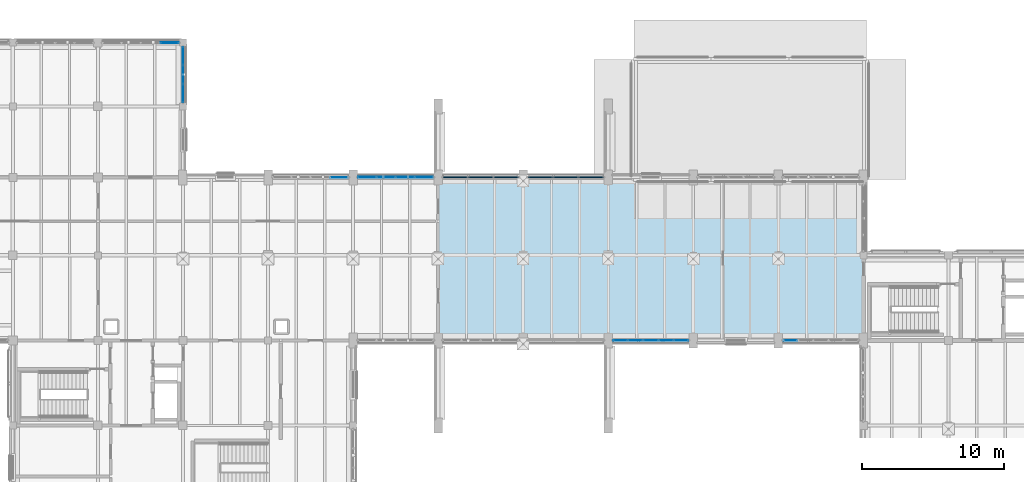
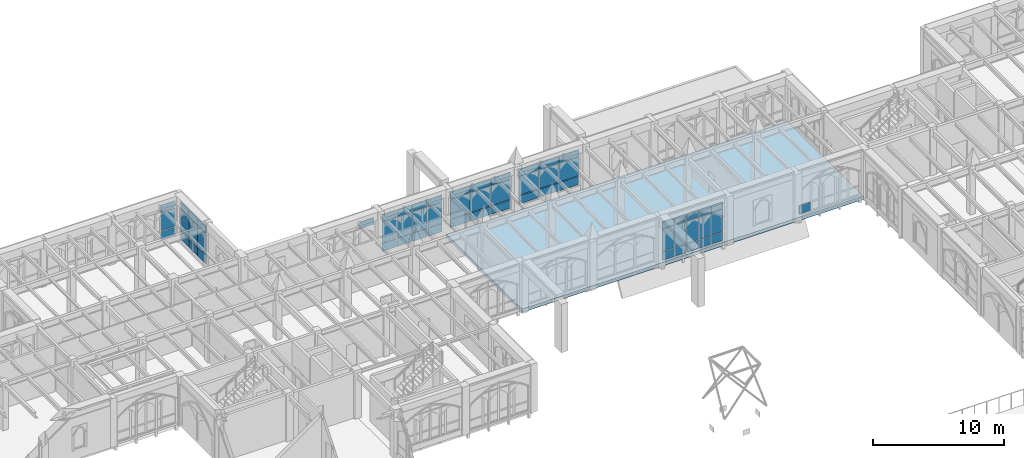
# One storey, part 95 of 143: 59 plates, 1 slab, 8 elements without a shape of their own.
"""IFC4 building model written with IfcOpenShell, lengths in metres."""

from ifc_helpers import new_model, si_unit, direction, frame, origin, origin_2d, place, context, subcontext, project, spatial, polyline, rectangle, outline, extrude, material, layer, layer_set, type_object, element, aggregate, save


model = new_model("IFC4")

# Units and contexts
model_context = context("Model", 3, precision=1e-05, world=origin(), true_north=direction((0.0, 1.0)))
body_context = subcontext(model_context, "Body", "Model", "MODEL_VIEW")
ifc_project = project(units=[si_unit("LENGTHUNIT", "METRE"), si_unit("AREAUNIT", "SQUARE_METRE"), si_unit("VOLUMEUNIT", "CUBIC_METRE"), si_unit("PLANEANGLEUNIT", "RADIAN"), si_unit("MASSUNIT", "GRAM", prefix="KILO")], contexts=[model_context])

# Site, building, storey
site_placement = place(None, origin())
site = spatial("IfcSite", under=ifc_project, at=site_placement, CompositionType="ELEMENT")
building_placement = place(site_placement, origin())
building = spatial("IfcBuilding", under=site, at=building_placement, Name="Cumevento Cable Car Station", CompositionType="ELEMENT")
storey_placement = place(building_placement, frame((0.0, 0.0, 9.0)))
storey = spatial("IfcBuildingStorey", under=building, at=storey_placement, Name="L03", CompositionType="ELEMENT", Elevation=9.0)

# Slab
ifc_material_1 = material(Name="Concrete C40/50", Category="concrete")
ifc_layer_1 = layer(ifc_material_1, 0.31005859375)
ifc_layer_set_1 = layer_set([ifc_layer_1], Name="Concrete C40/50")
slab_type = type_object("IfcSlabType", Name="Concrete Deck BS-310 310", PredefinedType="BASESLAB", material=ifc_layer_set_1)
slab_placement = place(storey_placement, frame((0.0, 0.0, -0.31005859375)))
element("IfcSlab", 1, at=slab_placement, inside=storey, type_object=slab_type, Name="Base Slab BS-310 L03 B_V3b.1", PredefinedType="BASESLAB", context=body_context, shape_type="SweptSolid", body=[
    extrude(outline(polyline([(88.0, 45.0), (118.0, 45.0), (118.0, 56.5), (88.0, 56.5), (88.0, 45.0)])), origin(), (0.0, 0.0, 1.0), 0.31005859375),
])

# Curtain wall, plates
ifc_material_2 = material(Name="Anodised Bronze Aluminium AW-6063-T6", Category="aluminium")
ifc_layer_2 = layer(ifc_material_2, 0.159912109375)
ifc_layer_set_2 = layer_set([ifc_layer_2], Name="Anodised Bronze Aluminium AW-6063-T6")
curtain_wall_type_1 = type_object("IfcCurtainWallType", Name="Lancet Curtain Wall CW-01 1050", PredefinedType="NOTDEFINED", material=ifc_layer_set_2)
curtain_wall_1_placement = place(storey_placement, origin())
curtain_wall_1 = element("IfcCurtainWall", 2, at=curtain_wall_1_placement, inside=storey, type_object=curtain_wall_type_1, Name="Lancet Curtain Wall CW-01 L03 #112", PredefinedType="NOTDEFINED")
ifc_material_3 = material(Name="Solar Control Laminated Double Glazing", Category="glass")
ifc_layer_3 = layer(ifc_material_3, 0.02197265625)
ifc_layer_set_3 = layer_set([ifc_layer_3], Name="Solar Control Laminated Double Glazing")
plate_type_1 = type_object("IfcPlateType", Name="Glazed Panel CWP-01 22", PredefinedType="CURTAIN_PANEL", material=ifc_layer_set_3)
plate_1_placement = place(storey_placement, frame((105.143798828125, 45.0, 0.22509765625), z_axis=(0.0, 0.0, 1.0), x_axis=(-1.0, 0.0, 0.0)))
plate_1 = element("IfcPlate", 3, at=plate_1_placement, type_object=plate_type_1, Name="CW-01 panel 1.1", PredefinedType="CURTAIN_PANEL", context=body_context, shape_type="SweptSolid", body=[
    extrude(rectangle(XDim=0.982421875, YDim=0.02197265625, at=origin_2d()), origin(), (0.0, 0.0, 1.0), 0.75244140625),
])
plate_2_placement = place(storey_placement, frame((105.143798828125, 45.0, 1.04248046875), z_axis=(0.0, 0.0, 1.0), x_axis=(-1.0, 0.0, 0.0)))
plate_2 = element("IfcPlate", 4, at=plate_2_placement, type_object=plate_type_1, Name="CW-01 panel 1.2", PredefinedType="CURTAIN_PANEL", context=body_context, shape_type="SweptSolid", body=[
    extrude(rectangle(XDim=0.982421875, YDim=0.02197265625, at=origin_2d()), origin(), (0.0, 0.0, 1.0), 2.070068359375),
])
plate_3_placement = place(storey_placement, frame((105.143798828125, 45.0, 3.177490234375), z_axis=(0.0, 0.0, 1.0), x_axis=(-1.0, 0.0, 0.0)))
plate_3 = element("IfcPlate", 5, at=plate_3_placement, type_object=plate_type_1, Name="CW-01 panel 1.3", PredefinedType="CURTAIN_PANEL", context=body_context, shape_type="SweptSolid", body=[
    extrude(rectangle(XDim=0.982421875, YDim=0.02197265625, at=origin_2d()), origin(), (0.0, 0.0, 1.0), 0.6025390625),
])
plate_4_placement = place(storey_placement, frame((104.080078125, 45.0, 0.22509765625), z_axis=(0.0, 0.0, 1.0), x_axis=(-1.0, 0.0, 0.0)))
plate_4 = element("IfcPlate", 6, at=plate_4_placement, type_object=plate_type_1, Name="CW-01 panel 2.1", PredefinedType="CURTAIN_PANEL", context=body_context, shape_type="SweptSolid", body=[
    extrude(rectangle(XDim=1.014892578125, YDim=0.02197265625, at=origin_2d()), origin(), (0.0, 0.0, 1.0), 0.75244140625),
])
plate_5_placement = place(storey_placement, frame((104.080078125, 45.0, 1.04248046875), z_axis=(0.0, 0.0, 1.0), x_axis=(-1.0, 0.0, 0.0)))
plate_5 = element("IfcPlate", 7, at=plate_5_placement, type_object=plate_type_1, Name="CW-01 panel 2.2", PredefinedType="CURTAIN_PANEL", context=body_context, shape_type="SweptSolid", body=[
    extrude(rectangle(XDim=1.014892578125, YDim=0.02197265625, at=origin_2d()), origin(), (0.0, 0.0, 1.0), 2.070068359375),
])
plate_6_placement = place(storey_placement, frame((104.080078125, 45.0, 3.177490234375), z_axis=(0.0, 0.0, 1.0), x_axis=(-1.0, 0.0, 0.0)))
plate_6 = element("IfcPlate", 8, at=plate_6_placement, type_object=plate_type_1, Name="CW-01 panel 2.3", PredefinedType="CURTAIN_PANEL", context=body_context, shape_type="SweptSolid", body=[
    extrude(rectangle(XDim=1.014892578125, YDim=0.02197265625, at=origin_2d()), origin(), (0.0, 0.0, 1.0), 0.6025390625),
])
plate_7_placement = place(storey_placement, frame((103.0, 45.0, 0.22509765625), z_axis=(0.0, 0.0, 1.0), x_axis=(-1.0, 0.0, 0.0)))
plate_7 = element("IfcPlate", 9, at=plate_7_placement, type_object=plate_type_1, Name="CW-01 panel 3.1", PredefinedType="CURTAIN_PANEL", context=body_context, shape_type="SweptSolid", body=[
    extrude(rectangle(XDim=1.014892578125, YDim=0.02197265625, at=origin_2d()), origin(), (0.0, 0.0, 1.0), 0.75244140625),
])
plate_8_placement = place(storey_placement, frame((103.0, 45.0, 1.04248046875), z_axis=(0.0, 0.0, 1.0), x_axis=(-1.0, 0.0, 0.0)))
plate_8 = element("IfcPlate", 10, at=plate_8_placement, type_object=plate_type_1, Name="CW-01 panel 3.2", PredefinedType="CURTAIN_PANEL", context=body_context, shape_type="SweptSolid", body=[
    extrude(rectangle(XDim=1.014892578125, YDim=0.02197265625, at=origin_2d()), origin(), (0.0, 0.0, 1.0), 2.070068359375),
])
plate_9_placement = place(storey_placement, frame((103.0, 45.0, 3.177490234375), z_axis=(0.0, 0.0, 1.0), x_axis=(-1.0, 0.0, 0.0)))
plate_9 = element("IfcPlate", 11, at=plate_9_placement, type_object=plate_type_1, Name="CW-01 panel 3.3", PredefinedType="CURTAIN_PANEL", context=body_context, shape_type="SweptSolid", body=[
    extrude(rectangle(XDim=1.014892578125, YDim=0.02197265625, at=origin_2d()), origin(), (0.0, 0.0, 1.0), 0.6025390625),
])
plate_10_placement = place(storey_placement, frame((101.919921875, 45.0, 0.22509765625), z_axis=(0.0, 0.0, 1.0), x_axis=(-1.0, 0.0, 0.0)))
plate_10 = element("IfcPlate", 12, at=plate_10_placement, type_object=plate_type_1, Name="CW-01 panel 4.1", PredefinedType="CURTAIN_PANEL", context=body_context, shape_type="SweptSolid", body=[
    extrude(rectangle(XDim=1.014892578125, YDim=0.02197265625, at=origin_2d()), origin(), (0.0, 0.0, 1.0), 0.75244140625),
])
plate_11_placement = place(storey_placement, frame((101.919921875, 45.0, 1.04248046875), z_axis=(0.0, 0.0, 1.0), x_axis=(-1.0, 0.0, 0.0)))
plate_11 = element("IfcPlate", 13, at=plate_11_placement, type_object=plate_type_1, Name="CW-01 panel 4.2", PredefinedType="CURTAIN_PANEL", context=body_context, shape_type="SweptSolid", body=[
    extrude(rectangle(XDim=1.014892578125, YDim=0.02197265625, at=origin_2d()), origin(), (0.0, 0.0, 1.0), 2.070068359375),
])
plate_12_placement = place(storey_placement, frame((101.919921875, 45.0, 3.177490234375), z_axis=(0.0, 0.0, 1.0), x_axis=(-1.0, 0.0, 0.0)))
plate_12 = element("IfcPlate", 14, at=plate_12_placement, type_object=plate_type_1, Name="CW-01 panel 4.3", PredefinedType="CURTAIN_PANEL", context=body_context, shape_type="SweptSolid", body=[
    extrude(rectangle(XDim=1.014892578125, YDim=0.02197265625, at=origin_2d()), origin(), (0.0, 0.0, 1.0), 0.6025390625),
])
plate_13_placement = place(storey_placement, frame((100.856201171875, 45.0, 0.22509765625), z_axis=(0.0, 0.0, 1.0), x_axis=(-1.0, 0.0, 0.0)))
plate_13 = element("IfcPlate", 15, at=plate_13_placement, type_object=plate_type_1, Name="CW-01 panel 5.1", PredefinedType="CURTAIN_PANEL", context=body_context, shape_type="SweptSolid", body=[
    extrude(rectangle(XDim=0.982421875, YDim=0.02197265625, at=origin_2d()), origin(), (0.0, 0.0, 1.0), 0.75244140625),
])
plate_14_placement = place(storey_placement, frame((100.856201171875, 45.0, 1.04248046875), z_axis=(0.0, 0.0, 1.0), x_axis=(-1.0, 0.0, 0.0)))
plate_14 = element("IfcPlate", 16, at=plate_14_placement, type_object=plate_type_1, Name="CW-01 panel 5.2", PredefinedType="CURTAIN_PANEL", context=body_context, shape_type="SweptSolid", body=[
    extrude(rectangle(XDim=0.982421875, YDim=0.02197265625, at=origin_2d()), origin(), (0.0, 0.0, 1.0), 2.070068359375),
])
plate_15_placement = place(storey_placement, frame((100.856201171875, 45.0, 3.177490234375), z_axis=(0.0, 0.0, 1.0), x_axis=(-1.0, 0.0, 0.0)))
plate_15 = element("IfcPlate", 17, at=plate_15_placement, type_object=plate_type_1, Name="CW-01 panel 5.3", PredefinedType="CURTAIN_PANEL", context=body_context, shape_type="SweptSolid", body=[
    extrude(rectangle(XDim=0.982421875, YDim=0.02197265625, at=origin_2d()), origin(), (0.0, 0.0, 1.0), 0.6025390625),
])
aggregate(curtain_wall_1, [plate_1, plate_2, plate_3, plate_4, plate_5, plate_6, plate_7, plate_8, plate_9, plate_10, plate_11, plate_12, plate_13, plate_14, plate_15])

# Curtain wall, plate
ifc_material_4 = material(Name="Anodised Bronze Aluminium AW-6063-T6", Category="aluminium")
ifc_layer_4 = layer(ifc_material_4, 0.172119140625)
ifc_layer_set_4 = layer_set([ifc_layer_4], Name="Anodised Bronze Aluminium AW-6063-T6")
curtain_wall_type_2 = type_object("IfcCurtainWallType", Name="Lancet Curtain Wall CW-03 1130", PredefinedType="NOTDEFINED", material=ifc_layer_set_4)
curtain_wall_2_placement = place(storey_placement, origin())
curtain_wall_2 = element("IfcCurtainWall", 18, at=curtain_wall_2_placement, inside=storey, type_object=curtain_wall_type_2, Name="Lancet Curtain Wall CW-03 L03 #114", PredefinedType="NOTDEFINED")
ifc_material_5 = material(Name="Solar Control Laminated Double Glazing", Category="glass")
ifc_layer_5 = layer(ifc_material_5, 0.030029296875)
ifc_layer_set_5 = layer_set([ifc_layer_5], Name="Solar Control Laminated Double Glazing")
plate_type_2 = type_object("IfcPlateType", Name="Glazed Panel CWP-03 30", PredefinedType="CURTAIN_PANEL", material=ifc_layer_set_5)
plate_16_placement = place(storey_placement, frame((112.856201171875, 45.0, 0.324951171875), z_axis=(0.0, 0.0, 1.0), x_axis=(-1.0, 0.0, 0.0)))
plate_16 = element("IfcPlate", 19, at=plate_16_placement, type_object=plate_type_2, Name="CW-03 panel 5.1", PredefinedType="CURTAIN_PANEL", context=body_context, shape_type="SweptSolid", body=[
    extrude(rectangle(XDim=0.982421875, YDim=0.030029296875, at=origin_2d()), origin(), (0.0, 0.0, 1.0), 0.75244140625),
])
aggregate(curtain_wall_2, [plate_16])

ifc_material_6 = material(Name="Anodised Bronze Aluminium AW-6063-T6", Category="aluminium")
ifc_layer_6 = layer(ifc_material_6, 0.214111328125)
ifc_layer_set_6 = layer_set([ifc_layer_6], Name="Anodised Bronze Aluminium AW-6063-T6")
curtain_wall_type_3 = type_object("IfcCurtainWallType", Name="Lancet Curtain Wall CW-10 1410", PredefinedType="NOTDEFINED", material=ifc_layer_set_6)
curtain_wall_3_placement = place(storey_placement, origin())
curtain_wall_3 = element("IfcCurtainWall", 20, at=curtain_wall_3_placement, inside=storey, type_object=curtain_wall_type_3, Name="Lancet Curtain Wall CW-10 L03 #105", PredefinedType="NOTDEFINED")
ifc_material_7 = material(Name="Solar Control Laminated Double Glazing", Category="glass")
ifc_layer_7 = layer(ifc_material_7, 0.050048828125)
ifc_layer_set_7 = layer_set([ifc_layer_7], Name="Solar Control Laminated Double Glazing")
plate_type_3 = type_object("IfcPlateType", Name="Glazed Panel CWP-08 50", PredefinedType="CURTAIN_PANEL", material=ifc_layer_set_7)
plate_17_placement = place(storey_placement, frame((81.0087890625, 56.5, 3.177490234375), z_axis=(0.0, 0.0, 1.0), x_axis=(1.0, 0.0, 0.0)))
plate_17 = element("IfcPlate", 21, at=plate_17_placement, type_object=plate_type_3, Name="CW-10 panel 4.3", PredefinedType="CURTAIN_PANEL", context=body_context, shape_type="SweptSolid", body=[
    extrude(rectangle(XDim=1.25244140625, YDim=0.050048828125, at=origin_2d()), origin(), (0.0, 0.0, 1.0), 0.6025390625),
])
aggregate(curtain_wall_3, [plate_17])

# Curtain wall, plates
ifc_material_8 = material(Name="Anodised Bronze Aluminium AW-6063-T6", Category="aluminium")
ifc_layer_8 = layer(ifc_material_8, 0.201904296875)
ifc_layer_set_8 = layer_set([ifc_layer_8], Name="Anodised Bronze Aluminium AW-6063-T6")
curtain_wall_type_4 = type_object("IfcCurtainWallType", Name="Lancet Curtain Wall CW-08 1330", PredefinedType="NOTDEFINED", material=ifc_layer_set_8)
curtain_wall_4_placement = place(storey_placement, origin())
curtain_wall_4 = element("IfcCurtainWall", 22, at=curtain_wall_4_placement, inside=storey, type_object=curtain_wall_type_4, Name="Lancet Curtain Wall CW-08 L03 #119", PredefinedType="NOTDEFINED")
plate_18_placement = place(storey_placement, frame((69.052490234375, 66.0, 0.5849609375), z_axis=(0.0, 0.0, 1.0), x_axis=(1.0, 0.0, 0.0)))
plate_18 = element("IfcPlate", 23, at=plate_18_placement, type_object=plate_type_3, Name="CW-08 panel 4.1", PredefinedType="CURTAIN_PANEL", context=body_context, shape_type="SweptSolid", body=[
    extrude(rectangle(XDim=1.264892578125, YDim=0.050048828125, at=origin_2d()), origin(), (0.0, 0.0, 1.0), 0.75244140625),
])
plate_19_placement = place(storey_placement, frame((69.052490234375, 66.0, 1.40234375), z_axis=(0.0, 0.0, 1.0), x_axis=(1.0, 0.0, 0.0)))
plate_19 = element("IfcPlate", 24, at=plate_19_placement, type_object=plate_type_3, Name="CW-08 panel 4.2", PredefinedType="CURTAIN_PANEL", context=body_context, shape_type="SweptSolid", body=[
    extrude(rectangle(XDim=1.264892578125, YDim=0.050048828125, at=origin_2d()), origin(), (0.0, 0.0, 1.0), 1.697998046875),
])
plate_20_placement = place(storey_placement, frame((69.052490234375, 66.0, 3.16552734375), z_axis=(0.0, 0.0, 1.0), x_axis=(1.0, 0.0, 0.0)))
plate_20 = element("IfcPlate", 25, at=plate_20_placement, type_object=plate_type_3, Name="CW-08 panel 4.3", PredefinedType="CURTAIN_PANEL", context=body_context, shape_type="SweptSolid", body=[
    extrude(rectangle(XDim=1.264892578125, YDim=0.050048828125, at=origin_2d()), origin(), (0.0, 0.0, 1.0), 0.6025390625),
])
aggregate(curtain_wall_4, [plate_18, plate_19, plate_20])

ifc_material_9 = material(Name="Anodised Bronze Aluminium AW-6063-T6", Category="aluminium")
ifc_layer_9 = layer(ifc_material_9, 0.22607421875)
ifc_layer_set_9 = layer_set([ifc_layer_9], Name="Anodised Bronze Aluminium AW-6063-T6")
curtain_wall_type_5 = type_object("IfcCurtainWallType", Name="Lancet Curtain Wall CW-12 1490", PredefinedType="NOTDEFINED", material=ifc_layer_set_9)
curtain_wall_5_placement = place(storey_placement, origin())
curtain_wall_5 = element("IfcCurtainWall", 26, at=curtain_wall_5_placement, inside=storey, type_object=curtain_wall_type_5, Name="Lancet Curtain Wall CW-12 L03 #107", PredefinedType="NOTDEFINED")
ifc_material_10 = material(Name="Insulated Bronze Aluminium Spandrel Panel", Category="aluminium")
ifc_layer_10 = layer(ifc_material_10, 0.06005859375)
ifc_layer_set_10 = layer_set([ifc_layer_10], Name="Insulated Bronze Aluminium Spandrel Panel")
plate_type_4 = type_object("IfcPlateType", Name="Spandrel Panel CWP-10 60", PredefinedType="CURTAIN_PANEL", material=ifc_layer_set_10)
plate_21_placement = place(storey_placement, frame((82.9912109375, 56.5, 0.375), z_axis=(0.0, 0.0, 1.0), x_axis=(1.0, 0.0, 0.0)))
plate_21 = element("IfcPlate", 27, at=plate_21_placement, type_object=plate_type_4, Name="CW-12 panel 1.1", PredefinedType="CURTAIN_PANEL", context=body_context, shape_type="SweptSolid", body=[
    extrude(rectangle(XDim=1.25244140625, YDim=0.06005859375, at=origin_2d()), origin(), (0.0, 0.0, 1.0), 0.75244140625),
])
plate_22_placement = place(storey_placement, frame((82.9912109375, 56.5, 1.192626953125), z_axis=(0.0, 0.0, 1.0), x_axis=(1.0, 0.0, 0.0)))
plate_22 = element("IfcPlate", 28, at=plate_22_placement, type_object=plate_type_4, Name="CW-12 panel 1.2", PredefinedType="CURTAIN_PANEL", context=body_context, shape_type="SweptSolid", body=[
    extrude(rectangle(XDim=1.25244140625, YDim=0.06005859375, at=origin_2d()), origin(), (0.0, 0.0, 1.0), 1.919921875),
])
plate_23_placement = place(storey_placement, frame((82.9912109375, 56.5, 3.177490234375), z_axis=(0.0, 0.0, 1.0), x_axis=(1.0, 0.0, 0.0)))
plate_23 = element("IfcPlate", 29, at=plate_23_placement, type_object=plate_type_4, Name="CW-12 panel 1.3", PredefinedType="CURTAIN_PANEL", context=body_context, shape_type="SweptSolid", body=[
    extrude(rectangle(XDim=1.25244140625, YDim=0.06005859375, at=origin_2d()), origin(), (0.0, 0.0, 1.0), 0.6025390625),
])
plate_24_placement = place(storey_placement, frame((84.324951171875, 56.5, 0.375), z_axis=(0.0, 0.0, 1.0), x_axis=(1.0, 0.0, 0.0)))
plate_24 = element("IfcPlate", 30, at=plate_24_placement, type_object=plate_type_4, Name="CW-12 panel 2.1", PredefinedType="CURTAIN_PANEL", context=body_context, shape_type="SweptSolid", body=[
    extrude(rectangle(XDim=1.284912109375, YDim=0.06005859375, at=origin_2d()), origin(), (0.0, 0.0, 1.0), 0.75244140625),
])
plate_25_placement = place(storey_placement, frame((84.324951171875, 56.5, 1.192626953125), z_axis=(0.0, 0.0, 1.0), x_axis=(1.0, 0.0, 0.0)))
plate_25 = element("IfcPlate", 31, at=plate_25_placement, type_object=plate_type_4, Name="CW-12 panel 2.2", PredefinedType="CURTAIN_PANEL", context=body_context, shape_type="SweptSolid", body=[
    extrude(rectangle(XDim=1.284912109375, YDim=0.06005859375, at=origin_2d()), origin(), (0.0, 0.0, 1.0), 1.919921875),
])
plate_26_placement = place(storey_placement, frame((84.324951171875, 56.5, 3.177490234375), z_axis=(0.0, 0.0, 1.0), x_axis=(1.0, 0.0, 0.0)))
plate_26 = element("IfcPlate", 32, at=plate_26_placement, type_object=plate_type_4, Name="CW-12 panel 2.3", PredefinedType="CURTAIN_PANEL", context=body_context, shape_type="SweptSolid", body=[
    extrude(rectangle(XDim=1.284912109375, YDim=0.06005859375, at=origin_2d()), origin(), (0.0, 0.0, 1.0), 0.6025390625),
])
plate_27_placement = place(storey_placement, frame((85.675048828125, 56.5, 0.375), z_axis=(0.0, 0.0, 1.0), x_axis=(1.0, 0.0, 0.0)))
plate_27 = element("IfcPlate", 33, at=plate_27_placement, type_object=plate_type_4, Name="CW-12 panel 3.1", PredefinedType="CURTAIN_PANEL", context=body_context, shape_type="SweptSolid", body=[
    extrude(rectangle(XDim=1.284912109375, YDim=0.06005859375, at=origin_2d()), origin(), (0.0, 0.0, 1.0), 0.75244140625),
])
plate_28_placement = place(storey_placement, frame((85.675048828125, 56.5, 1.192626953125), z_axis=(0.0, 0.0, 1.0), x_axis=(1.0, 0.0, 0.0)))
plate_28 = element("IfcPlate", 34, at=plate_28_placement, type_object=plate_type_4, Name="CW-12 panel 3.2", PredefinedType="CURTAIN_PANEL", context=body_context, shape_type="SweptSolid", body=[
    extrude(rectangle(XDim=1.284912109375, YDim=0.06005859375, at=origin_2d()), origin(), (0.0, 0.0, 1.0), 1.919921875),
])
plate_29_placement = place(storey_placement, frame((85.675048828125, 56.5, 3.177490234375), z_axis=(0.0, 0.0, 1.0), x_axis=(1.0, 0.0, 0.0)))
plate_29 = element("IfcPlate", 35, at=plate_29_placement, type_object=plate_type_4, Name="CW-12 panel 3.3", PredefinedType="CURTAIN_PANEL", context=body_context, shape_type="SweptSolid", body=[
    extrude(rectangle(XDim=1.284912109375, YDim=0.06005859375, at=origin_2d()), origin(), (0.0, 0.0, 1.0), 0.6025390625),
])
plate_30_placement = place(storey_placement, frame((87.0087890625, 56.5, 0.375), z_axis=(0.0, 0.0, 1.0), x_axis=(1.0, 0.0, 0.0)))
plate_30 = element("IfcPlate", 36, at=plate_30_placement, type_object=plate_type_4, Name="CW-12 panel 4.1", PredefinedType="CURTAIN_PANEL", context=body_context, shape_type="SweptSolid", body=[
    extrude(rectangle(XDim=1.25244140625, YDim=0.06005859375, at=origin_2d()), origin(), (0.0, 0.0, 1.0), 0.75244140625),
])
plate_31_placement = place(storey_placement, frame((87.0087890625, 56.5, 1.192626953125), z_axis=(0.0, 0.0, 1.0), x_axis=(1.0, 0.0, 0.0)))
plate_31 = element("IfcPlate", 37, at=plate_31_placement, type_object=plate_type_4, Name="CW-12 panel 4.2", PredefinedType="CURTAIN_PANEL", context=body_context, shape_type="SweptSolid", body=[
    extrude(rectangle(XDim=1.25244140625, YDim=0.06005859375, at=origin_2d()), origin(), (0.0, 0.0, 1.0), 1.919921875),
])
plate_32_placement = place(storey_placement, frame((87.0087890625, 56.5, 3.177490234375), z_axis=(0.0, 0.0, 1.0), x_axis=(1.0, 0.0, 0.0)))
plate_32 = element("IfcPlate", 38, at=plate_32_placement, type_object=plate_type_4, Name="CW-12 panel 4.3", PredefinedType="CURTAIN_PANEL", context=body_context, shape_type="SweptSolid", body=[
    extrude(rectangle(XDim=1.25244140625, YDim=0.06005859375, at=origin_2d()), origin(), (0.0, 0.0, 1.0), 0.6025390625),
])
aggregate(curtain_wall_5, [plate_21, plate_22, plate_23, plate_24, plate_25, plate_26, plate_27, plate_28, plate_29, plate_30, plate_31, plate_32])

ifc_material_11 = material(Name="Anodised Bronze Aluminium AW-6063-T6", Category="aluminium")
ifc_layer_11 = layer(ifc_material_11, 0.219970703125)
ifc_layer_set_11 = layer_set([ifc_layer_11], Name="Anodised Bronze Aluminium AW-6063-T6")
curtain_wall_type_6 = type_object("IfcCurtainWallType", Name="Lancet Curtain Wall CW-11 1450", PredefinedType="NOTDEFINED", material=ifc_layer_set_11)
curtain_wall_6_placement = place(storey_placement, origin())
curtain_wall_6 = element("IfcCurtainWall", 39, at=curtain_wall_6_placement, inside=storey, type_object=curtain_wall_type_6, Name="Lancet Curtain Wall CW-11 L03 #122", PredefinedType="NOTDEFINED")
ifc_material_12 = material(Name="Insulated Bronze Aluminium Spandrel Panel", Category="aluminium")
ifc_layer_12 = layer(ifc_material_12, 0.06591796875)
ifc_layer_set_12 = layer_set([ifc_layer_12], Name="Insulated Bronze Aluminium Spandrel Panel")
plate_type_5 = type_object("IfcPlateType", Name="Spandrel Panel CWP-11 66", PredefinedType="CURTAIN_PANEL", material=ifc_layer_set_12)
plate_33_placement = place(storey_placement, frame((70.0, 65.067138671875, 0.324951171875), z_axis=(0.0, 0.0, 1.0), x_axis=(0.0, -1.0, 0.0)))
plate_33 = element("IfcPlate", 40, at=plate_33_placement, type_object=plate_type_5, Name="CW-11 panel 1.1", PredefinedType="CURTAIN_PANEL", context=body_context, shape_type="SweptSolid", body=[
    extrude(rectangle(XDim=1.23583984375, YDim=0.06591796875, at=origin_2d()), origin(), (0.0, 0.0, 1.0), 0.75244140625),
])
plate_34_placement = place(storey_placement, frame((70.0, 65.067138671875, 1.142578125), z_axis=(0.0, 0.0, 1.0), x_axis=(0.0, -1.0, 0.0)))
plate_34 = element("IfcPlate", 41, at=plate_34_placement, type_object=plate_type_5, Name="CW-11 panel 1.2", PredefinedType="CURTAIN_PANEL", context=body_context, shape_type="SweptSolid", body=[
    extrude(rectangle(XDim=1.23583984375, YDim=0.06591796875, at=origin_2d()), origin(), (0.0, 0.0, 1.0), 1.9580078125),
])
plate_35_placement = place(storey_placement, frame((70.0, 65.067138671875, 3.16552734375), z_axis=(0.0, 0.0, 1.0), x_axis=(0.0, -1.0, 0.0)))
plate_35 = element("IfcPlate", 42, at=plate_35_placement, type_object=plate_type_5, Name="CW-11 panel 1.3", PredefinedType="CURTAIN_PANEL", context=body_context, shape_type="SweptSolid", body=[
    extrude(rectangle(XDim=1.23583984375, YDim=0.06591796875, at=origin_2d()), origin(), (0.0, 0.0, 1.0), 0.6025390625),
])
plate_36_placement = place(storey_placement, frame((70.0, 63.75, 0.324951171875), z_axis=(0.0, 0.0, 1.0), x_axis=(0.0, -1.0, 0.0)))
plate_36 = element("IfcPlate", 43, at=plate_36_placement, type_object=plate_type_5, Name="CW-11 panel 2.1", PredefinedType="CURTAIN_PANEL", context=body_context, shape_type="SweptSolid", body=[
    extrude(rectangle(XDim=1.268310546875, YDim=0.06591796875, at=origin_2d()), origin(), (0.0, 0.0, 1.0), 0.75244140625),
])
plate_37_placement = place(storey_placement, frame((70.0, 63.75, 1.142578125), z_axis=(0.0, 0.0, 1.0), x_axis=(0.0, -1.0, 0.0)))
plate_37 = element("IfcPlate", 44, at=plate_37_placement, type_object=plate_type_5, Name="CW-11 panel 2.2", PredefinedType="CURTAIN_PANEL", context=body_context, shape_type="SweptSolid", body=[
    extrude(rectangle(XDim=1.268310546875, YDim=0.06591796875, at=origin_2d()), origin(), (0.0, 0.0, 1.0), 1.9580078125),
])
plate_38_placement = place(storey_placement, frame((70.0, 63.75, 3.16552734375), z_axis=(0.0, 0.0, 1.0), x_axis=(0.0, -1.0, 0.0)))
plate_38 = element("IfcPlate", 45, at=plate_38_placement, type_object=plate_type_5, Name="CW-11 panel 2.3", PredefinedType="CURTAIN_PANEL", context=body_context, shape_type="SweptSolid", body=[
    extrude(rectangle(XDim=1.268310546875, YDim=0.06591796875, at=origin_2d()), origin(), (0.0, 0.0, 1.0), 0.6025390625),
])
plate_39_placement = place(storey_placement, frame((70.0, 62.432861328125, 0.324951171875), z_axis=(0.0, 0.0, 1.0), x_axis=(0.0, -1.0, 0.0)))
plate_39 = element("IfcPlate", 46, at=plate_39_placement, type_object=plate_type_5, Name="CW-11 panel 3.1", PredefinedType="CURTAIN_PANEL", context=body_context, shape_type="SweptSolid", body=[
    extrude(rectangle(XDim=1.23583984375, YDim=0.06591796875, at=origin_2d()), origin(), (0.0, 0.0, 1.0), 0.75244140625),
])
plate_40_placement = place(storey_placement, frame((70.0, 62.432861328125, 1.142578125), z_axis=(0.0, 0.0, 1.0), x_axis=(0.0, -1.0, 0.0)))
plate_40 = element("IfcPlate", 47, at=plate_40_placement, type_object=plate_type_5, Name="CW-11 panel 3.2", PredefinedType="CURTAIN_PANEL", context=body_context, shape_type="SweptSolid", body=[
    extrude(rectangle(XDim=1.23583984375, YDim=0.06591796875, at=origin_2d()), origin(), (0.0, 0.0, 1.0), 1.9580078125),
])
plate_41_placement = place(storey_placement, frame((70.0, 62.432861328125, 3.16552734375), z_axis=(0.0, 0.0, 1.0), x_axis=(0.0, -1.0, 0.0)))
plate_41 = element("IfcPlate", 48, at=plate_41_placement, type_object=plate_type_5, Name="CW-11 panel 3.3", PredefinedType="CURTAIN_PANEL", context=body_context, shape_type="SweptSolid", body=[
    extrude(rectangle(XDim=1.23583984375, YDim=0.06591796875, at=origin_2d()), origin(), (0.0, 0.0, 1.0), 0.6025390625),
])
aggregate(curtain_wall_6, [plate_33, plate_34, plate_35, plate_36, plate_37, plate_38, plate_39, plate_40, plate_41])

ifc_material_13 = material(Name="Anodised Bronze Aluminium AW-6063-T6", Category="aluminium")
ifc_layer_13 = layer(ifc_material_13, 0.238037109375)
ifc_layer_set_13 = layer_set([ifc_layer_13], Name="Anodised Bronze Aluminium AW-6063-T6")
curtain_wall_type_7 = type_object("IfcCurtainWallType", Name="Lancet Curtain Wall CW-14 1570", PredefinedType="NOTDEFINED", material=ifc_layer_set_13)
curtain_wall_7_placement = place(storey_placement, origin())
curtain_wall_7 = element("IfcCurtainWall", 49, at=curtain_wall_7_placement, inside=storey, type_object=curtain_wall_type_7, Name="Lancet Curtain Wall CW-14 L03 #109", PredefinedType="NOTDEFINED")
ifc_material_14 = material(Name="Insulated Bronze Aluminium Spandrel Panel", Category="aluminium")
ifc_layer_14 = layer(ifc_material_14, 0.072021484375)
ifc_layer_set_14 = layer_set([ifc_layer_14], Name="Insulated Bronze Aluminium Spandrel Panel")
plate_type_6 = type_object("IfcPlateType", Name="Spandrel Panel CWP-12 72", PredefinedType="CURTAIN_PANEL", material=ifc_layer_set_14)
plate_42_placement = place(storey_placement, frame((89.21630859375, 56.5, 0.47509765625), z_axis=(0.0, 0.0, 1.0), x_axis=(1.0, 0.0, 0.0)))
plate_42 = element("IfcPlate", 50, at=plate_42_placement, type_object=plate_type_6, Name="CW-14 panel 1.1", PredefinedType="CURTAIN_PANEL", context=body_context, shape_type="SweptSolid", body=[
    extrude(rectangle(XDim=1.702392578125, YDim=0.072021484375, at=origin_2d()), origin(), (0.0, 0.0, 1.0), 0.75244140625),
])
plate_43_placement = place(storey_placement, frame((89.21630859375, 56.5, 1.29248046875), z_axis=(0.0, 0.0, 1.0), x_axis=(1.0, 0.0, 0.0)))
plate_43 = element("IfcPlate", 51, at=plate_43_placement, type_object=plate_type_6, Name="CW-14 panel 1.2", PredefinedType="CURTAIN_PANEL", context=body_context, shape_type="SweptSolid", body=[
    extrude(rectangle(XDim=1.702392578125, YDim=0.072021484375, at=origin_2d()), origin(), (0.0, 0.0, 1.0), 1.820068359375),
])
plate_44_placement = place(storey_placement, frame((89.21630859375, 56.5, 3.177490234375), z_axis=(0.0, 0.0, 1.0), x_axis=(1.0, 0.0, 0.0)))
plate_44 = element("IfcPlate", 52, at=plate_44_placement, type_object=plate_type_6, Name="CW-14 panel 1.3", PredefinedType="CURTAIN_PANEL", context=body_context, shape_type="SweptSolid", body=[
    extrude(rectangle(XDim=1.702392578125, YDim=0.072021484375, at=origin_2d()), origin(), (0.0, 0.0, 1.0), 0.6025390625),
])
plate_45_placement = place(storey_placement, frame((91.0, 56.5, 0.47509765625), z_axis=(0.0, 0.0, 1.0), x_axis=(1.0, 0.0, 0.0)))
plate_45 = element("IfcPlate", 53, at=plate_45_placement, type_object=plate_type_6, Name="CW-14 panel 2.1", PredefinedType="CURTAIN_PANEL", context=body_context, shape_type="SweptSolid", body=[
    extrude(rectangle(XDim=1.735107421875, YDim=0.072021484375, at=origin_2d()), origin(), (0.0, 0.0, 1.0), 0.75244140625),
])
plate_46_placement = place(storey_placement, frame((91.0, 56.5, 1.29248046875), z_axis=(0.0, 0.0, 1.0), x_axis=(1.0, 0.0, 0.0)))
plate_46 = element("IfcPlate", 54, at=plate_46_placement, type_object=plate_type_6, Name="CW-14 panel 2.2", PredefinedType="CURTAIN_PANEL", context=body_context, shape_type="SweptSolid", body=[
    extrude(rectangle(XDim=1.735107421875, YDim=0.072021484375, at=origin_2d()), origin(), (0.0, 0.0, 1.0), 1.820068359375),
])
plate_47_placement = place(storey_placement, frame((91.0, 56.5, 3.177490234375), z_axis=(0.0, 0.0, 1.0), x_axis=(1.0, 0.0, 0.0)))
plate_47 = element("IfcPlate", 55, at=plate_47_placement, type_object=plate_type_6, Name="CW-14 panel 2.3", PredefinedType="CURTAIN_PANEL", context=body_context, shape_type="SweptSolid", body=[
    extrude(rectangle(XDim=1.735107421875, YDim=0.072021484375, at=origin_2d()), origin(), (0.0, 0.0, 1.0), 0.6025390625),
])
plate_48_placement = place(storey_placement, frame((92.78369140625, 56.5, 0.47509765625), z_axis=(0.0, 0.0, 1.0), x_axis=(1.0, 0.0, 0.0)))
plate_48 = element("IfcPlate", 56, at=plate_48_placement, type_object=plate_type_6, Name="CW-14 panel 3.1", PredefinedType="CURTAIN_PANEL", context=body_context, shape_type="SweptSolid", body=[
    extrude(rectangle(XDim=1.702392578125, YDim=0.072021484375, at=origin_2d()), origin(), (0.0, 0.0, 1.0), 0.75244140625),
])
plate_49_placement = place(storey_placement, frame((92.78369140625, 56.5, 1.29248046875), z_axis=(0.0, 0.0, 1.0), x_axis=(1.0, 0.0, 0.0)))
plate_49 = element("IfcPlate", 57, at=plate_49_placement, type_object=plate_type_6, Name="CW-14 panel 3.2", PredefinedType="CURTAIN_PANEL", context=body_context, shape_type="SweptSolid", body=[
    extrude(rectangle(XDim=1.702392578125, YDim=0.072021484375, at=origin_2d()), origin(), (0.0, 0.0, 1.0), 1.820068359375),
])
plate_50_placement = place(storey_placement, frame((92.78369140625, 56.5, 3.177490234375), z_axis=(0.0, 0.0, 1.0), x_axis=(1.0, 0.0, 0.0)))
plate_50 = element("IfcPlate", 58, at=plate_50_placement, type_object=plate_type_6, Name="CW-14 panel 3.3", PredefinedType="CURTAIN_PANEL", context=body_context, shape_type="SweptSolid", body=[
    extrude(rectangle(XDim=1.702392578125, YDim=0.072021484375, at=origin_2d()), origin(), (0.0, 0.0, 1.0), 0.6025390625),
])
aggregate(curtain_wall_7, [plate_42, plate_43, plate_44, plate_45, plate_46, plate_47, plate_48, plate_49, plate_50])

ifc_material_15 = material(Name="Anodised Bronze Aluminium AW-6063-T6", Category="aluminium")
ifc_layer_15 = layer(ifc_material_15, 0.25)
ifc_layer_set_15 = layer_set([ifc_layer_15], Name="Anodised Bronze Aluminium AW-6063-T6")
curtain_wall_type_8 = type_object("IfcCurtainWallType", Name="Lancet Curtain Wall CW-16 1650", PredefinedType="NOTDEFINED", material=ifc_layer_set_15)
curtain_wall_8_placement = place(storey_placement, origin())
curtain_wall_8 = element("IfcCurtainWall", 59, at=curtain_wall_8_placement, inside=storey, type_object=curtain_wall_type_8, Name="Lancet Curtain Wall CW-16 L03 #111", PredefinedType="NOTDEFINED")
ifc_material_16 = material(Name="Insulated Bronze Aluminium Spandrel Panel", Category="aluminium")
ifc_layer_16 = layer(ifc_material_16, 0.0849609375)
ifc_layer_set_16 = layer_set([ifc_layer_16], Name="Insulated Bronze Aluminium Spandrel Panel")
plate_type_7 = type_object("IfcPlateType", Name="Spandrel Panel CWP-14 85", PredefinedType="CURTAIN_PANEL", material=ifc_layer_set_16)
plate_51_placement = place(storey_placement, frame((95.21630859375, 56.5, 0.5849609375), z_axis=(0.0, 0.0, 1.0), x_axis=(1.0, 0.0, 0.0)))
plate_51 = element("IfcPlate", 60, at=plate_51_placement, type_object=plate_type_7, Name="CW-16 panel 1.1", PredefinedType="CURTAIN_PANEL", context=body_context, shape_type="SweptSolid", body=[
    extrude(rectangle(XDim=1.702392578125, YDim=0.0849609375, at=origin_2d()), origin(), (0.0, 0.0, 1.0), 0.75244140625),
])
plate_52_placement = place(storey_placement, frame((95.21630859375, 56.5, 1.402587890625), z_axis=(0.0, 0.0, 1.0), x_axis=(1.0, 0.0, 0.0)))
plate_52 = element("IfcPlate", 61, at=plate_52_placement, type_object=plate_type_7, Name="CW-16 panel 1.2", PredefinedType="CURTAIN_PANEL", context=body_context, shape_type="SweptSolid", body=[
    extrude(rectangle(XDim=1.702392578125, YDim=0.0849609375, at=origin_2d()), origin(), (0.0, 0.0, 1.0), 1.7099609375),
])
plate_53_placement = place(storey_placement, frame((95.21630859375, 56.5, 3.177490234375), z_axis=(0.0, 0.0, 1.0), x_axis=(1.0, 0.0, 0.0)))
plate_53 = element("IfcPlate", 62, at=plate_53_placement, type_object=plate_type_7, Name="CW-16 panel 1.3", PredefinedType="CURTAIN_PANEL", context=body_context, shape_type="SweptSolid", body=[
    extrude(rectangle(XDim=1.702392578125, YDim=0.0849609375, at=origin_2d()), origin(), (0.0, 0.0, 1.0), 0.6025390625),
])
plate_54_placement = place(storey_placement, frame((97.0, 56.5, 0.5849609375), z_axis=(0.0, 0.0, 1.0), x_axis=(1.0, 0.0, 0.0)))
plate_54 = element("IfcPlate", 63, at=plate_54_placement, type_object=plate_type_7, Name="CW-16 panel 2.1", PredefinedType="CURTAIN_PANEL", context=body_context, shape_type="SweptSolid", body=[
    extrude(rectangle(XDim=1.735107421875, YDim=0.0849609375, at=origin_2d()), origin(), (0.0, 0.0, 1.0), 0.75244140625),
])
plate_55_placement = place(storey_placement, frame((97.0, 56.5, 1.402587890625), z_axis=(0.0, 0.0, 1.0), x_axis=(1.0, 0.0, 0.0)))
plate_55 = element("IfcPlate", 64, at=plate_55_placement, type_object=plate_type_7, Name="CW-16 panel 2.2", PredefinedType="CURTAIN_PANEL", context=body_context, shape_type="SweptSolid", body=[
    extrude(rectangle(XDim=1.735107421875, YDim=0.0849609375, at=origin_2d()), origin(), (0.0, 0.0, 1.0), 1.7099609375),
])
plate_56_placement = place(storey_placement, frame((97.0, 56.5, 3.177490234375), z_axis=(0.0, 0.0, 1.0), x_axis=(1.0, 0.0, 0.0)))
plate_56 = element("IfcPlate", 65, at=plate_56_placement, type_object=plate_type_7, Name="CW-16 panel 2.3", PredefinedType="CURTAIN_PANEL", context=body_context, shape_type="SweptSolid", body=[
    extrude(rectangle(XDim=1.735107421875, YDim=0.0849609375, at=origin_2d()), origin(), (0.0, 0.0, 1.0), 0.6025390625),
])
plate_57_placement = place(storey_placement, frame((98.78369140625, 56.5, 0.5849609375), z_axis=(0.0, 0.0, 1.0), x_axis=(1.0, 0.0, 0.0)))
plate_57 = element("IfcPlate", 66, at=plate_57_placement, type_object=plate_type_7, Name="CW-16 panel 3.1", PredefinedType="CURTAIN_PANEL", context=body_context, shape_type="SweptSolid", body=[
    extrude(rectangle(XDim=1.702392578125, YDim=0.0849609375, at=origin_2d()), origin(), (0.0, 0.0, 1.0), 0.75244140625),
])
plate_58_placement = place(storey_placement, frame((98.78369140625, 56.5, 1.402587890625), z_axis=(0.0, 0.0, 1.0), x_axis=(1.0, 0.0, 0.0)))
plate_58 = element("IfcPlate", 67, at=plate_58_placement, type_object=plate_type_7, Name="CW-16 panel 3.2", PredefinedType="CURTAIN_PANEL", context=body_context, shape_type="SweptSolid", body=[
    extrude(rectangle(XDim=1.702392578125, YDim=0.0849609375, at=origin_2d()), origin(), (0.0, 0.0, 1.0), 1.7099609375),
])
plate_59_placement = place(storey_placement, frame((98.78369140625, 56.5, 3.177490234375), z_axis=(0.0, 0.0, 1.0), x_axis=(1.0, 0.0, 0.0)))
plate_59 = element("IfcPlate", 68, at=plate_59_placement, type_object=plate_type_7, Name="CW-16 panel 3.3", PredefinedType="CURTAIN_PANEL", context=body_context, shape_type="SweptSolid", body=[
    extrude(rectangle(XDim=1.702392578125, YDim=0.0849609375, at=origin_2d()), origin(), (0.0, 0.0, 1.0), 0.6025390625),
])
aggregate(curtain_wall_8, [plate_51, plate_52, plate_53, plate_54, plate_55, plate_56, plate_57, plate_58, plate_59])

save(model, "model.ifc")
